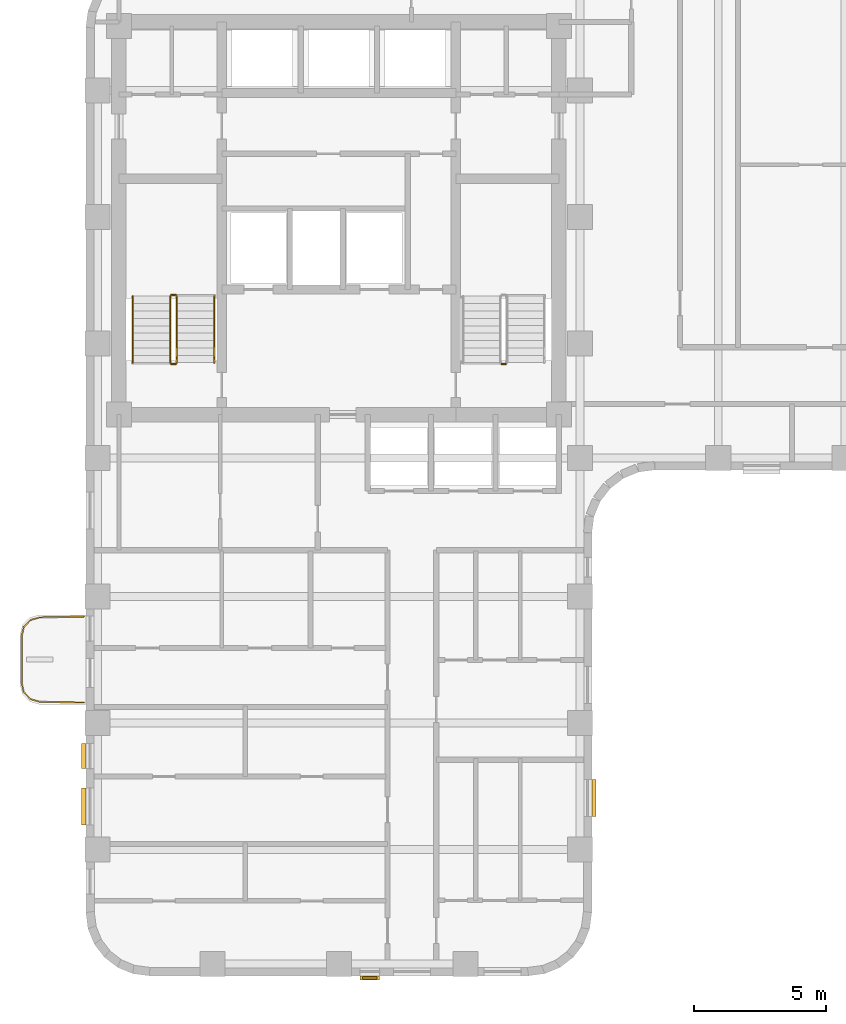
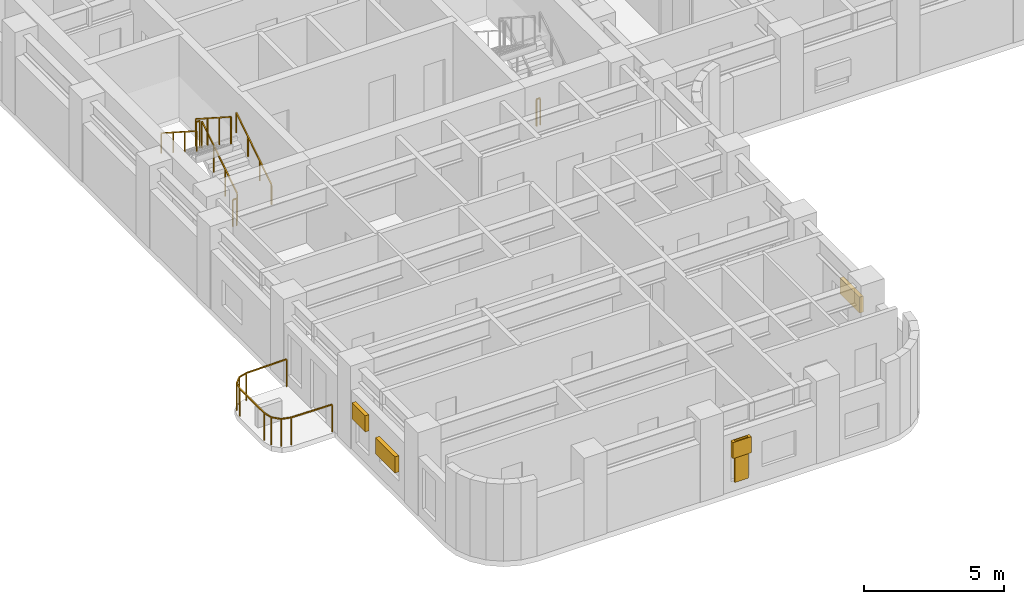
# One storey, part 8 of 10: 8 railings, 5 shading devices.
"""IFC4 building model written with IfcOpenShell, lengths in metres."""

from ifc_helpers import new_model, si_unit, direction, frame, origin, origin_2d, place, context, subcontext, project, spatial, rectangle, extrude, material, type_object, element, save


model = new_model("IFC4")

# Units and contexts
model_context = context("Model", 3, precision=1e-05, world=origin(), true_north=direction((0.0, 1.0)))
body_context = subcontext(model_context, "Body", "Model", "MODEL_VIEW")
ifc_project = project(units=[si_unit("LENGTHUNIT", "METRE"), si_unit("AREAUNIT", "SQUARE_METRE"), si_unit("VOLUMEUNIT", "CUBIC_METRE"), si_unit("PLANEANGLEUNIT", "RADIAN"), si_unit("MASSUNIT", "GRAM", prefix="KILO")], contexts=[model_context])

# Site, building, storey
site_placement = place(None, origin())
site = spatial("IfcSite", under=ifc_project, at=site_placement, CompositionType="ELEMENT")
building_placement = place(site_placement, origin())
building = spatial("IfcBuilding", under=site, at=building_placement, Name="Orvandelia Arch Residences", CompositionType="ELEMENT")
storey_placement = place(building_placement, frame((0.0, 0.0, 136.0)))
storey = spatial("IfcBuildingStorey", under=building, at=storey_placement, Name="L35", CompositionType="ELEMENT", Elevation=136.0)

# Railings
ifc_material_1 = material(Name="Marine-Grade Stainless Steel 316", Category="steel")
railing_type_1 = type_object("IfcRailingType", Name="GRD-BAL-1200", PredefinedType="BALUSTRADE", material=ifc_material_1)
railing_1_placement = place(storey_placement, frame((4.728271484375, 23.23046875, 0.0)))
element("IfcRailing", 1, at=railing_1_placement, inside=storey, type_object=railing_type_1, Name="Safety Balustrade Guard GRD-L35-BAL-L35-W1-1", PredefinedType="BALUSTRADE", context=body_context, shape_type="SweptSolid", body=[
    extrude(rectangle(XDim=0.048095703125, YDim=0.048095703125, at=origin_2d()), frame((0.0, 0.0, 1.19580078125), z_axis=(-0.999834751713, -0.018178813668, 0.0), x_axis=(0.018178813668, -0.999834751713, 0.0)), (0.0, 0.0, 1.0), 1.6787109375),
    extrude(rectangle(XDim=0.048095703125, YDim=0.048095703125, at=origin_2d()), frame((-1.678466796875, -0.030517578125, 1.19580078125), z_axis=(-0.96348920644, -0.267747173792, 0.0), x_axis=(0.267747173792, -0.96348920644, 0.0)), (0.0, 0.0, 1.0), 0.36572265625),
    extrude(rectangle(XDim=0.048095703125, YDim=0.048095703125, at=origin_2d()), frame((-2.03076171875, -0.12841796875, 1.19580078125), z_axis=(-0.688627404251, -0.725115368831, 0.0), x_axis=(0.725115368831, -0.688627404251, 0.0)), (0.0, 0.0, 1.0), 0.367919921875),
    extrude(rectangle(XDim=0.048095703125, YDim=0.048095703125, at=origin_2d()), frame((-2.2841796875, -0.395263671875, 1.19580078125), z_axis=(-0.220461657419, -0.975395641577, 0.0), x_axis=(0.975395641577, -0.220461657419, 0.0)), (0.0, 0.0, 1.0), 0.373291015625),
    extrude(rectangle(XDim=0.048095703125, YDim=0.048095703125, at=origin_2d()), frame((-2.366455078125, -0.75927734375, 1.19580078125), z_axis=(0.0, -1.0, 0.0), x_axis=(1.0, 0.0, 0.0)), (0.0, 0.0, 1.0), 1.742431640625),
    extrude(rectangle(XDim=0.048095703125, YDim=0.048095703125, at=origin_2d()), frame((-2.366455078125, -2.501708984375, 1.19580078125), z_axis=(0.220602419982, -0.975363815352, 0.0), x_axis=(0.975363815352, 0.220602419982, 0.0)), (0.0, 0.0, 1.0), 0.373046875),
    extrude(rectangle(XDim=0.048095703125, YDim=0.048095703125, at=origin_2d()), frame((-2.2841796875, -2.865478515625, 1.19580078125), z_axis=(0.688296224633, -0.725429739642, 0.0), x_axis=(0.725429739642, 0.688296224633, 0.0)), (0.0, 0.0, 1.0), 0.3681640625),
    extrude(rectangle(XDim=0.048095703125, YDim=0.048095703125, at=origin_2d()), frame((-2.03076171875, -3.132568359375, 1.19580078125), z_axis=(0.96348920644, -0.267747173792, 0.0), x_axis=(0.267747173792, 0.96348920644, 0.0)), (0.0, 0.0, 1.0), 0.36572265625),
    extrude(rectangle(XDim=0.048095703125, YDim=0.048095703125, at=origin_2d()), frame((-1.678466796875, -3.23046875, 1.19580078125), z_axis=(0.999834751713, -0.018178813668, 0.0), x_axis=(0.018178813668, 0.999834751713, 0.0)), (0.0, 0.0, 1.0), 1.6787109375),
    extrude(rectangle(XDim=0.0419921875, YDim=0.0419921875, at=origin_2d()), origin(), (0.0, 0.0, 1.0), 1.171875),
    extrude(rectangle(XDim=0.0419921875, YDim=0.0419921875, at=origin_2d()), frame((-1.678466796875, -0.030517578125, 0.0)), (0.0, 0.0, 1.0), 1.171875),
    extrude(rectangle(XDim=0.0419921875, YDim=0.0419921875, at=origin_2d()), frame((-2.03076171875, -0.12841796875, 0.0)), (0.0, 0.0, 1.0), 1.171875),
    extrude(rectangle(XDim=0.0419921875, YDim=0.0419921875, at=origin_2d()), frame((-2.2841796875, -0.395263671875, 0.0)), (0.0, 0.0, 1.0), 1.171875),
    extrude(rectangle(XDim=0.0419921875, YDim=0.0419921875, at=origin_2d()), frame((-2.366455078125, -0.75927734375, 0.0)), (0.0, 0.0, 1.0), 1.171875),
    extrude(rectangle(XDim=0.0419921875, YDim=0.0419921875, at=origin_2d()), frame((-2.366455078125, -2.501708984375, 0.0)), (0.0, 0.0, 1.0), 1.171875),
    extrude(rectangle(XDim=0.0419921875, YDim=0.0419921875, at=origin_2d()), frame((-2.2841796875, -2.865478515625, 0.0)), (0.0, 0.0, 1.0), 1.171875),
    extrude(rectangle(XDim=0.0419921875, YDim=0.0419921875, at=origin_2d()), frame((-2.03076171875, -3.132568359375, 0.0)), (0.0, 0.0, 1.0), 1.171875),
    extrude(rectangle(XDim=0.0419921875, YDim=0.0419921875, at=origin_2d()), frame((-1.678466796875, -3.23046875, 0.0)), (0.0, 0.0, 1.0), 1.171875),
    extrude(rectangle(XDim=0.0419921875, YDim=0.0419921875, at=origin_2d()), frame((0.0, -3.260986328125, 0.0)), (0.0, 0.0, 1.0), 1.171875),
])
ifc_material_2 = material(Name="Brushed Stainless Steel 304", Category="steel")
railing_type_2 = type_object("IfcRailingType", Name="RL-STAIR-GD1120", PredefinedType="GUARDRAIL", material=ifc_material_2)
railing_2_placement = place(storey_placement, frame((8.25, 32.8701171875, 0.179931640625)))
element("IfcRailing", 2, at=railing_2_placement, inside=storey, type_object=railing_type_2, Name="L35 ST-1 stair guard 1", PredefinedType="GUARDRAIL", context=body_context, shape_type="SweptSolid", body=[
    extrude(rectangle(XDim=0.048095703125, YDim=0.048095703125, at=origin_2d()), frame((0.0, 0.0, 1.17578125), z_axis=(0.0, 0.841138753965, 0.540819375188), x_axis=(-1.0, 0.0, 0.0)), (0.0, 0.0, 1.0), 2.99560546875),
    extrude(rectangle(XDim=0.0419921875, YDim=0.0419921875, at=origin_2d()), origin(), (0.0, 0.0, 1.0), 1.15185546875),
    extrude(rectangle(XDim=0.0419921875, YDim=0.0419921875, at=origin_2d()), frame((0.0, 0.83984375, 0.5400390625)), (0.0, 0.0, 1.0), 1.15185546875),
    extrude(rectangle(XDim=0.0419921875, YDim=0.0419921875, at=origin_2d()), frame((0.0, 1.679931640625, 1.080078125)), (0.0, 0.0, 1.0), 1.15185546875),
    extrude(rectangle(XDim=0.0419921875, YDim=0.0419921875, at=origin_2d()), frame((0.0, 2.519775390625, 1.6201171875)), (0.0, 0.0, 1.0), 1.15185546875),
])
railing_3_placement = place(storey_placement, frame((8.199951171875, 35.43994140625, 1.800048828125)))
element("IfcRailing", 3, at=railing_3_placement, inside=storey, type_object=railing_type_2, Name="L35 ST-1 stair guard 2", PredefinedType="GUARDRAIL", context=body_context, shape_type="SweptSolid", body=[
    extrude(rectangle(XDim=0.048095703125, YDim=0.048095703125, at=origin_2d()), frame((0.0, 0.0, 1.17578125), z_axis=(-1.0, 0.0, 0.0), x_axis=(0.0, -1.0, 0.0)), (0.0, 0.0, 1.0), 0.14990234375),
    extrude(rectangle(XDim=0.0419921875, YDim=0.0419921875, at=origin_2d()), origin(), (0.0, 0.0, 1.0), 1.15185546875),
    extrude(rectangle(XDim=0.0419921875, YDim=0.0419921875, at=origin_2d()), frame((-0.14990234375, 0.0, 0.0)), (0.0, 0.0, 1.0), 1.15185546875),
])
railing_4_placement = place(storey_placement, frame((8.0, 35.389892578125, 1.97998046875)))
element("IfcRailing", 4, at=railing_4_placement, inside=storey, type_object=railing_type_2, Name="L35 ST-1 stair guard 3", PredefinedType="GUARDRAIL", context=body_context, shape_type="SweptSolid", body=[
    extrude(rectangle(XDim=0.048095703125, YDim=0.048095703125, at=origin_2d()), frame((0.0, 0.0, 1.17578125), z_axis=(0.0, -0.841138753965, 0.540819375188), x_axis=(1.0, 0.0, 0.0)), (0.0, 0.0, 1.0), 2.99560546875),
    extrude(rectangle(XDim=0.0419921875, YDim=0.0419921875, at=origin_2d()), origin(), (0.0, 0.0, 1.0), 1.15185546875),
    extrude(rectangle(XDim=0.0419921875, YDim=0.0419921875, at=origin_2d()), frame((0.0, -0.83984375, 0.5400390625)), (0.0, 0.0, 1.0), 1.15185546875),
    extrude(rectangle(XDim=0.0419921875, YDim=0.0419921875, at=origin_2d()), frame((0.0, -1.679931640625, 1.080078125)), (0.0, 0.0, 1.0), 1.15185546875),
    extrude(rectangle(XDim=0.0419921875, YDim=0.0419921875, at=origin_2d()), frame((0.0, -2.519775390625, 1.6201171875)), (0.0, 0.0, 1.0), 1.15185546875),
])
for number, where, name in (
    (5, (8.199951171875, 32.820068359375, 0.0), "L35 ST-1 stair guard 4"),
    (6, (20.72998046875, 32.820068359375, 0.0), "L35 ST-2 stair guard 4"),
):
    element("IfcRailing", number, at=place(storey_placement, frame(where)), inside=storey, type_object=railing_type_2, Name=name, PredefinedType="GUARDRAIL", context=body_context, shape_type="SweptSolid", body=[
        extrude(rectangle(XDim=0.048095703125, YDim=0.048095703125, at=origin_2d()), frame((0.0, 0.0, 1.17578125), z_axis=(-1.0, 0.0, 0.0), x_axis=(0.0, -1.0, 0.0)), (0.0, 0.0, 1.0), 0.14990234375),
        extrude(rectangle(XDim=0.0419921875, YDim=0.0419921875, at=origin_2d()), origin(), (0.0, 0.0, 1.0), 1.15185546875),
        extrude(rectangle(XDim=0.0419921875, YDim=0.0419921875, at=origin_2d()), frame((-0.14990234375, 0.0, 0.0)), (0.0, 0.0, 1.0), 1.15185546875),
    ])
railing_type_3 = type_object("IfcRailingType", Name="RL-STAIR-HR920", PredefinedType="HANDRAIL", material=ifc_material_2)
railing_5_placement = place(storey_placement, frame((9.669921875, 32.8701171875, 0.360107421875)))
element("IfcRailing", 7, at=railing_5_placement, inside=storey, type_object=railing_type_3, Name="L35 ST-1 stair handrail 1", PredefinedType="HANDRAIL", context=body_context, shape_type="SweptSolid", body=[
    extrude(rectangle(XDim=0.048095703125, YDim=0.048095703125, at=origin_2d()), frame((0.0, 0.0, 0.8759765625), z_axis=(0.0, 0.841175827307, 0.540761710511), x_axis=(-1.0, 0.0, 0.0)), (0.0, 0.0, 1.0), 2.99560546875),
    extrude(rectangle(XDim=0.0419921875, YDim=0.0419921875, at=origin_2d()), origin(), (0.0, 0.0, 1.0), 0.851806640625),
    extrude(rectangle(XDim=0.0419921875, YDim=0.0419921875, at=origin_2d()), frame((0.0, 0.83984375, 0.5400390625)), (0.0, 0.0, 1.0), 0.851806640625),
    extrude(rectangle(XDim=0.0419921875, YDim=0.0419921875, at=origin_2d()), frame((0.0, 1.679931640625, 1.079833984375)), (0.0, 0.0, 1.0), 0.851806640625),
    extrude(rectangle(XDim=0.0419921875, YDim=0.0419921875, at=origin_2d()), frame((0.0, 2.519775390625, 1.619873046875)), (0.0, 0.0, 1.0), 0.851806640625),
])
railing_6_placement = place(storey_placement, frame((6.580078125, 35.389892578125, 2.159912109375)))
element("IfcRailing", 8, at=railing_6_placement, inside=storey, type_object=railing_type_3, Name="L35 ST-1 stair handrail 2", PredefinedType="HANDRAIL", context=body_context, shape_type="SweptSolid", body=[
    extrude(rectangle(XDim=0.048095703125, YDim=0.048095703125, at=origin_2d()), frame((0.0, 0.0, 0.8759765625), z_axis=(0.0, -0.841138753965, 0.540819375188), x_axis=(1.0, 0.0, 0.0)), (0.0, 0.0, 1.0), 2.99560546875),
    extrude(rectangle(XDim=0.0419921875, YDim=0.0419921875, at=origin_2d()), origin(), (0.0, 0.0, 1.0), 0.851806640625),
    extrude(rectangle(XDim=0.0419921875, YDim=0.0419921875, at=origin_2d()), frame((0.0, -0.83984375, 0.5400390625)), (0.0, 0.0, 1.0), 0.851806640625),
    extrude(rectangle(XDim=0.0419921875, YDim=0.0419921875, at=origin_2d()), frame((0.0, -1.679931640625, 1.080078125)), (0.0, 0.0, 1.0), 0.851806640625),
    extrude(rectangle(XDim=0.0419921875, YDim=0.0419921875, at=origin_2d()), frame((0.0, -2.519775390625, 1.6201171875)), (0.0, 0.0, 1.0), 0.851806640625),
])

# Shading devices
ifc_material_3 = material(Name="Anodised Champagne-Bronze Extruded Aluminium", Category="aluminium")
shading_device_type_1 = type_object("IfcShadingDeviceType", Name="SHD-JALOUSIE-SCREEN", PredefinedType="JALOUSIE", material=ifc_material_3)
shading_device_1_placement = place(storey_placement, frame((24.080078125, 16.347412109375, 1.0498046875), z_axis=(0.0, 0.0, 1.0), x_axis=(0.0, -1.0, 0.0)))
element("IfcShadingDevice", 9, at=shading_device_1_placement, inside=storey, type_object=shading_device_type_1, Name="Bronze Jalousie Sun-Shade L35-005", PredefinedType="JALOUSIE", context=body_context, shape_type="SweptSolid", body=[
    extrude(rectangle(XDim=1.39990234375, YDim=0.159912109375, at=origin_2d()), origin(), (0.0, 0.0, 1.0), 0.699951171875),
])
shading_device_2_placement = place(storey_placement, frame((15.572509765625, 9.52001953125, 1.5498046875), z_axis=(0.0, 0.0, 1.0), x_axis=(-1.0, 0.0, 0.0)))
element("IfcShadingDevice", 10, at=shading_device_2_placement, inside=storey, type_object=shading_device_type_1, Name="Bronze Jalousie Sun-Shade L35-006", PredefinedType="JALOUSIE", context=body_context, shape_type="SweptSolid", body=[
    extrude(rectangle(XDim=0.75, YDim=0.159912109375, at=origin_2d()), origin(), (0.0, 0.0, 1.0), 0.699951171875),
])
shading_device_3_placement = place(storey_placement, frame((4.719970703125, 16.027587890625, 1.0498046875), z_axis=(0.0, 0.0, 1.0), x_axis=(0.0, 1.0, 0.0)))
element("IfcShadingDevice", 11, at=shading_device_3_placement, inside=storey, type_object=shading_device_type_1, Name="Bronze Jalousie Sun-Shade L35-007", PredefinedType="JALOUSIE", context=body_context, shape_type="SweptSolid", body=[
    extrude(rectangle(XDim=1.39990234375, YDim=0.159912109375, at=origin_2d()), origin(), (0.0, 0.0, 1.0), 0.699951171875),
])
shading_device_4_placement = place(storey_placement, frame((4.719970703125, 17.9326171875, 1.5498046875), z_axis=(0.0, 0.0, 1.0), x_axis=(0.0, 1.0, 0.0)))
element("IfcShadingDevice", 12, at=shading_device_4_placement, inside=storey, type_object=shading_device_type_1, Name="Bronze Jalousie Sun-Shade L35-008", PredefinedType="JALOUSIE", context=body_context, shape_type="SweptSolid", body=[
    extrude(rectangle(XDim=0.949951171875, YDim=0.159912109375, at=origin_2d()), origin(), (0.0, 0.0, 1.0), 0.699951171875),
])
ifc_material_4 = material(Name="Marine-Grade Perforated Aluminium Storm Shutter", Category="aluminium")
shading_device_type_2 = type_object("IfcShadingDeviceType", Name="SHD-STORM-SHUTTER", PredefinedType="SHUTTER", material=ifc_material_4)
shading_device_5_placement = place(storey_placement, frame((15.572509765625, 9.52001953125, 0.4501953125), z_axis=(0.0, 0.0, 1.0), x_axis=(-1.0, 0.0, 0.0)))
element("IfcShadingDevice", 13, at=shading_device_5_placement, inside=storey, type_object=shading_device_type_2, Name="Operable Typhoon Storm Shutter L35-006", PredefinedType="SHUTTER", context=body_context, shape_type="SweptSolid", body=[
    extrude(rectangle(XDim=0.550048828125, YDim=0.080078125, at=origin_2d()), origin(), (0.0, 0.0, 1.0), 1.800048828125),
])

save(model, "model.ifc")
